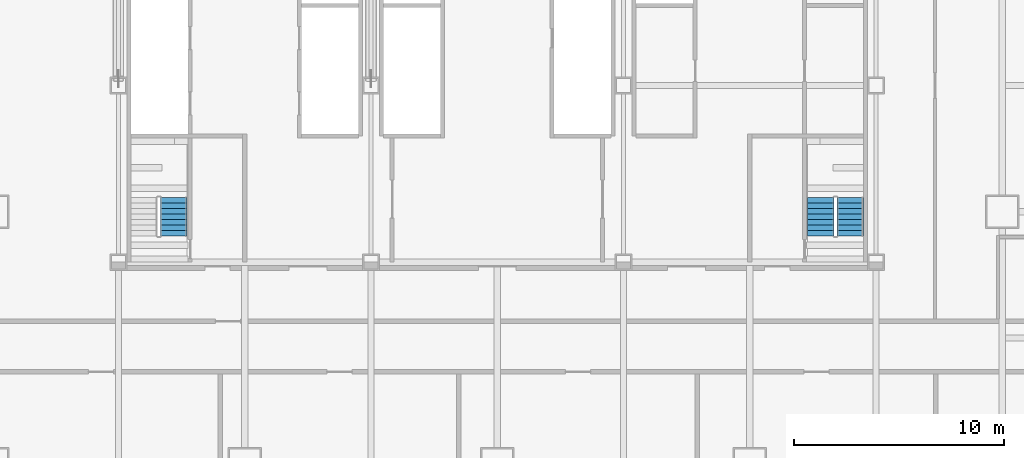
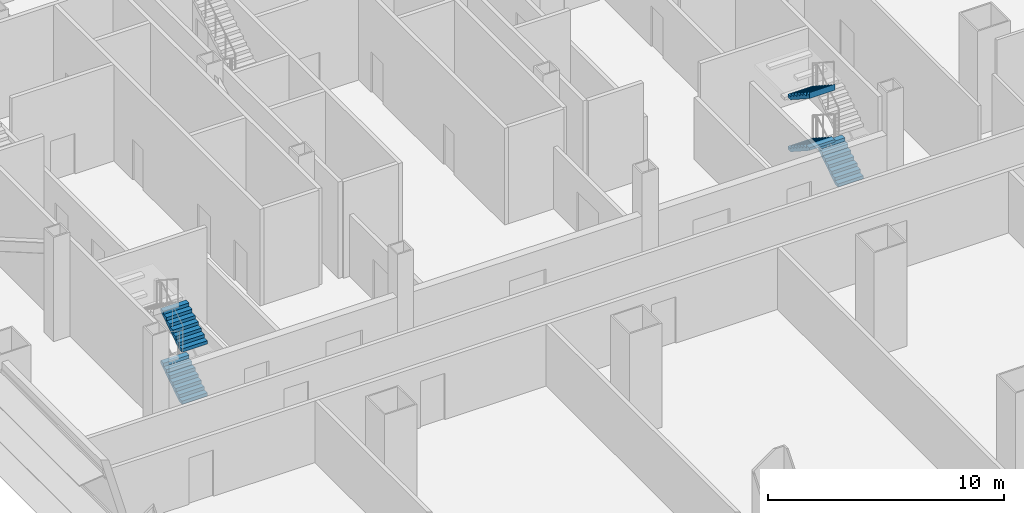
# One storey, part 7 of 10: 5 stair flights, 2 elements without a shape of their own.
"""IFC4 building model written with IfcOpenShell, lengths in metres."""

from ifc_helpers import new_model, si_unit, direction, frame, origin, place, context, subcontext, project, spatial, polyline, outline, extrude, material, type_object, element, aggregate, save


model = new_model("IFC4")

# Units and contexts
model_context = context("Model", 3, precision=1e-05, world=origin(), true_north=direction((0.0, 1.0)))
body_context = subcontext(model_context, "Body", "Model", "MODEL_VIEW")
ifc_project = project(units=[si_unit("LENGTHUNIT", "METRE"), si_unit("AREAUNIT", "SQUARE_METRE"), si_unit("VOLUMEUNIT", "CUBIC_METRE"), si_unit("PLANEANGLEUNIT", "RADIAN"), si_unit("MASSUNIT", "GRAM", prefix="KILO")], contexts=[model_context])

# Site, building, storey
site_placement = place(None, origin())
site = spatial("IfcSite", under=ifc_project, at=site_placement, CompositionType="ELEMENT")
building_placement = place(site_placement, origin())
building = spatial("IfcBuilding", under=site, at=building_placement, Name="Sorahane Residences", CompositionType="ELEMENT")
storey_placement = place(building_placement, frame((0.0, 0.0, 15.0)))
storey = spatial("IfcBuildingStorey", under=building, at=storey_placement, Name="L01", CompositionType="ELEMENT", Elevation=15.0)

# Stair, stair flights
ifc_material_1 = material(Name="Concrete C40", Category="concrete")
stair_type = type_object("IfcStairType", Name="Dog-leg stair 1250 Concrete C40", PredefinedType="HALF_TURN_STAIR", material=ifc_material_1)
stair_1_placement = place(storey_placement, origin())
stair_1 = element("IfcStair", 1, at=stair_1_placement, inside=storey, type_object=stair_type, Name="L01 Stair S4", PredefinedType="HALF_TURN_STAIR")
ifc_material_2 = material(Name="Concrete C40", Category="concrete")
stair_flight_type = type_object("IfcStairFlightType", Name="Stair flight 1250 Concrete C40", PredefinedType="STRAIGHT", material=ifc_material_2)
stair_flight_1_placement = place(storey_placement, frame((8.625, 22.85009765625, 0.0), z_axis=(0.0, 0.0, 1.0), x_axis=(0.0, 1.0, 0.0)))
stair_flight_1 = element("IfcStairFlight", 2, at=stair_flight_1_placement, type_object=stair_flight_type, Name="S4 flight 1", NumberOfRisers=8, NumberOfTreads=7, PredefinedType="STRAIGHT", RiserHeight=0.16875, TreadLength=0.26, context=body_context, shape_type="SweptSolid", body=[
    extrude(outline(polyline([(-0.00146484375, 0.0), (-0.00146484375, 0.002197265625), (-0.00146484375, 0.004150390625), (-0.00146484375, 0.00634765625), (-0.00146484375, 0.00830078125), (-0.00146484375, 0.010498046875), (-0.00146484375, 0.012451171875), (-0.00146484375, 0.0146484375), (-0.00146484375, 0.0166015625), (-0.00146484375, 0.018798828125), (-0.00146484375, 0.020751953125), (-0.00146484375, 0.02294921875), (-0.00146484375, 0.02490234375), (-0.00146484375, 0.027099609375), (-0.00146484375, 0.029052734375), (-0.00146484375, 0.03125), (-0.00146484375, 0.033447265625), (-0.00146484375, 0.035400390625), (-0.00146484375, 0.03759765625), (-0.00146484375, 0.03955078125), (-0.00146484375, 0.041748046875), (-0.00146484375, 0.043701171875), (-0.00146484375, 0.0458984375), (-0.00146484375, 0.0478515625), (-0.00146484375, 0.050048828125), (-0.00146484375, 0.052001953125), (-0.00146484375, 0.05419921875), (-0.00146484375, 0.05615234375), (-0.00146484375, 0.058349609375), (-0.00146484375, 0.060302734375), (-0.00146484375, 0.0625), (-0.00146484375, 0.064697265625), (-0.00146484375, 0.066650390625), (-0.00146484375, 0.06884765625), (-0.00146484375, 0.07080078125), (-0.00146484375, 0.072998046875), (-0.00146484375, 0.074951171875), (-0.00146484375, 0.0771484375), (-0.00146484375, 0.0791015625), (-0.00146484375, 0.081298828125), (-0.00146484375, 0.083251953125), (-0.00146484375, 0.08544921875), (-0.00146484375, 0.08740234375), (-0.00146484375, 0.089599609375), (-0.00146484375, 0.091552734375), (-0.00146484375, 0.09375), (-0.00146484375, 0.095947265625), (-0.00146484375, 0.097900390625), (-0.00146484375, 0.10009765625), (-0.00146484375, 0.10205078125), (-0.00146484375, 0.104248046875), (-0.00146484375, 0.106201171875), (-0.00146484375, 0.1083984375), (-0.00146484375, 0.1103515625), (-0.00146484375, 0.112548828125), (-0.00146484375, 0.114501953125), (-0.00146484375, 0.11669921875), (-0.00146484375, 0.11865234375), (-0.00146484375, 0.120849609375), (-0.00146484375, 0.122802734375), (-0.00146484375, 0.125), (-0.00146484375, 0.127197265625), (-0.00146484375, 0.129150390625), (-0.00146484375, 0.13134765625), (-0.00146484375, 0.13330078125), (-0.00146484375, 0.135498046875), (-0.00146484375, 0.137451171875), (-0.00146484375, 0.1396484375), (-0.00146484375, 0.1416015625), (-0.00146484375, 0.143798828125), (-0.00146484375, 0.145751953125), (-0.00146484375, 0.14794921875), (-0.00146484375, 0.14990234375), (-0.00146484375, 0.152099609375), (-0.00146484375, 0.154052734375), (-0.00146484375, 0.15625), (-0.00146484375, 0.158447265625), (-0.00146484375, 0.160400390625), (-0.00146484375, 0.16259765625), (-0.00146484375, 0.16455078125), (-0.00146484375, 0.166748046875), (-0.00146484375, 0.168701171875), (0.0, 0.168701171875), (0.260009765625, 0.168701171875), (0.260009765625, 0.33740234375), (0.52001953125, 0.33740234375), (0.52001953125, 0.50634765625), (0.780029296875, 0.50634765625), (0.780029296875, 0.675048828125), (1.0400390625, 0.675048828125), (1.0400390625, 0.84375), (1.300048828125, 0.84375), (1.300048828125, 1.012451171875), (1.56005859375, 1.012451171875), (1.56005859375, 1.18115234375), (1.820068359375, 1.18115234375), (1.820068359375, 1.35009765625), (1.820068359375, 1.34619140625), (1.820068359375, 1.34228515625), (1.820068359375, 1.33837890625), (1.820068359375, 1.334716796875), (1.820068359375, 1.330810546875), (1.820068359375, 1.326904296875), (1.820068359375, 1.322998046875), (1.820068359375, 1.319091796875), (1.820068359375, 1.3154296875), (1.820068359375, 1.3115234375), (1.820068359375, 1.3076171875), (1.820068359375, 1.3037109375), (1.820068359375, 1.300048828125), (1.820068359375, 1.296142578125), (1.820068359375, 1.292236328125), (1.820068359375, 1.288330078125), (1.820068359375, 1.284423828125), (1.820068359375, 1.28076171875), (1.820068359375, 1.27685546875), (1.820068359375, 1.27294921875), (1.820068359375, 1.26904296875), (1.820068359375, 1.265380859375), (1.820068359375, 1.261474609375), (1.820068359375, 1.257568359375), (1.820068359375, 1.253662109375), (1.820068359375, 1.249755859375), (1.820068359375, 1.24609375), (1.820068359375, 1.2421875), (1.820068359375, 1.23828125), (1.820068359375, 1.234375), (1.820068359375, 1.230712890625), (1.820068359375, 1.226806640625), (1.820068359375, 1.222900390625), (1.820068359375, 1.218994140625), (1.820068359375, 1.215087890625), (1.820068359375, 1.21142578125), (1.820068359375, 1.20751953125), (1.820068359375, 1.20361328125), (1.820068359375, 1.19970703125), (1.820068359375, 1.196044921875), (1.820068359375, 1.192138671875), (1.820068359375, 1.188232421875), (1.820068359375, 1.184326171875), (1.820068359375, 1.1806640625), (1.820068359375, 1.1767578125), (1.820068359375, 1.1728515625), (1.820068359375, 1.1689453125), (1.820068359375, 1.1650390625), (1.820068359375, 1.161376953125), (1.820068359375, 1.157470703125), (1.820068359375, 1.153564453125), (1.820068359375, 1.149658203125), (1.820068359375, 1.14599609375), (1.820068359375, 1.14208984375), (1.820068359375, 1.13818359375), (1.820068359375, 1.13427734375), (1.820068359375, 1.13037109375), (1.820068359375, 1.126708984375), (1.820068359375, 1.122802734375), (1.820068359375, 1.118896484375), (1.820068359375, 1.114990234375), (1.820068359375, 1.111328125), (1.820068359375, 1.107421875), (1.820068359375, 1.103515625), (1.820068359375, 1.099609375), (1.820068359375, 1.095703125), (1.820068359375, 1.092041015625), (1.820068359375, 1.088134765625), (1.820068359375, 1.084228515625), (1.820068359375, 1.080322265625), (1.820068359375, 1.07666015625), (1.820068359375, 1.07275390625), (1.820068359375, 1.06884765625), (1.820068359375, 1.06494140625), (1.820068359375, 1.061279296875), (1.820068359375, 1.057373046875), (1.820068359375, 1.053466796875), (1.820068359375, 1.049560546875), (1.820068359375, 1.045654296875), (1.820068359375, 1.0419921875), (1.820068359375, 1.0380859375), (1.642333984375, 0.922607421875), (1.464599609375, 0.807373046875), (1.286865234375, 0.692138671875), (1.109130859375, 0.57666015625), (0.931396484375, 0.46142578125), (0.753662109375, 0.345947265625), (0.575927734375, 0.230712890625), (0.3984375, 0.115234375), (0.220703125, 0.0), (-0.00146484375, 0.0)])), frame((0.0, 0.625, 0.0), z_axis=(0.0, -1.0, 0.0), x_axis=(1.0, 0.0, 0.0)), (0.0, 0.0, 1.0), 1.25),
])
stair_flight_2_placement = place(storey_placement, frame((8.625, 22.85009765625, 2.699951171875), z_axis=(0.0, 0.0, 1.0), x_axis=(0.0, 1.0, 0.0)))
stair_flight_2 = element("IfcStairFlight", 3, at=stair_flight_2_placement, type_object=stair_flight_type, Name="S4 flight 3", NumberOfRisers=8, NumberOfTreads=7, PredefinedType="STRAIGHT", RiserHeight=0.16875, TreadLength=0.26, context=body_context, shape_type="SweptSolid", body=[
    extrude(outline(polyline([(0.0, 0.0), (0.0, 0.002197265625), (0.0, 0.004150390625), (0.0, 0.00634765625), (0.0, 0.00830078125), (0.0, 0.010498046875), (0.0, 0.012451171875), (0.0, 0.0146484375), (0.0, 0.0166015625), (0.0, 0.018798828125), (0.0, 0.020751953125), (0.0, 0.02294921875), (0.0, 0.02490234375), (0.0, 0.027099609375), (0.0, 0.029052734375), (0.0, 0.03125), (0.0, 0.033447265625), (0.0, 0.035400390625), (0.0, 0.03759765625), (0.0, 0.03955078125), (0.0, 0.041748046875), (0.0, 0.043701171875), (0.0, 0.0458984375), (0.0, 0.0478515625), (0.0, 0.050048828125), (0.0, 0.052001953125), (0.0, 0.05419921875), (0.0, 0.05615234375), (0.0, 0.058349609375), (0.0, 0.060302734375), (0.0, 0.0625), (0.0, 0.064697265625), (0.0, 0.066650390625), (0.0, 0.06884765625), (0.0, 0.07080078125), (0.0, 0.072998046875), (0.0, 0.074951171875), (0.0, 0.0771484375), (0.0, 0.0791015625), (0.0, 0.081298828125), (0.0, 0.083251953125), (0.0, 0.08544921875), (0.0, 0.08740234375), (0.0, 0.089599609375), (0.0, 0.091552734375), (0.0, 0.09375), (0.0, 0.095947265625), (0.0, 0.097900390625), (0.0, 0.10009765625), (0.0, 0.10205078125), (0.0, 0.104248046875), (0.0, 0.106201171875), (0.0, 0.1083984375), (0.0, 0.1103515625), (0.0, 0.112548828125), (0.0, 0.114501953125), (0.0, 0.11669921875), (0.0, 0.11865234375), (0.0, 0.120849609375), (0.0, 0.122802734375), (0.0, 0.125), (0.0, 0.127197265625), (0.0, 0.129150390625), (0.0, 0.13134765625), (0.0, 0.13330078125), (0.0, 0.135498046875), (0.0, 0.137451171875), (0.0, 0.1396484375), (0.0, 0.1416015625), (0.0, 0.143798828125), (0.0, 0.145751953125), (0.0, 0.14794921875), (0.0, 0.14990234375), (0.0, 0.152099609375), (0.0, 0.154052734375), (0.0, 0.15625), (0.0, 0.158447265625), (0.0, 0.160400390625), (0.0, 0.16259765625), (0.0, 0.16455078125), (0.0, 0.166748046875), (0.0, 0.168701171875), (0.260009765625, 0.168701171875), (0.260009765625, 0.33740234375), (0.52001953125, 0.33740234375), (0.52001953125, 0.50634765625), (0.780029296875, 0.50634765625), (0.780029296875, 0.675048828125), (1.0400390625, 0.675048828125), (1.0400390625, 0.84375), (1.300048828125, 0.84375), (1.300048828125, 1.012451171875), (1.56005859375, 1.012451171875), (1.56005859375, 1.18115234375), (1.820068359375, 1.18115234375), (1.820068359375, 1.35009765625), (1.820068359375, 1.34619140625), (1.820068359375, 1.34228515625), (1.820068359375, 1.33837890625), (1.820068359375, 1.334716796875), (1.820068359375, 1.330810546875), (1.820068359375, 1.326904296875), (1.820068359375, 1.322998046875), (1.820068359375, 1.319091796875), (1.820068359375, 1.3154296875), (1.820068359375, 1.3115234375), (1.820068359375, 1.3076171875), (1.820068359375, 1.3037109375), (1.820068359375, 1.300048828125), (1.820068359375, 1.296142578125), (1.820068359375, 1.292236328125), (1.820068359375, 1.288330078125), (1.820068359375, 1.284423828125), (1.820068359375, 1.28076171875), (1.820068359375, 1.27685546875), (1.820068359375, 1.27294921875), (1.820068359375, 1.26904296875), (1.820068359375, 1.265380859375), (1.820068359375, 1.261474609375), (1.820068359375, 1.257568359375), (1.820068359375, 1.253662109375), (1.820068359375, 1.249755859375), (1.820068359375, 1.24609375), (1.820068359375, 1.2421875), (1.820068359375, 1.23828125), (1.820068359375, 1.234375), (1.820068359375, 1.230712890625), (1.820068359375, 1.226806640625), (1.820068359375, 1.222900390625), (1.820068359375, 1.218994140625), (1.820068359375, 1.215087890625), (1.820068359375, 1.21142578125), (1.820068359375, 1.20751953125), (1.820068359375, 1.20361328125), (1.820068359375, 1.19970703125), (1.820068359375, 1.196044921875), (1.820068359375, 1.192138671875), (1.820068359375, 1.188232421875), (1.820068359375, 1.184326171875), (1.820068359375, 1.1806640625), (1.820068359375, 1.1767578125), (1.820068359375, 1.1728515625), (1.820068359375, 1.1689453125), (1.820068359375, 1.1650390625), (1.820068359375, 1.161376953125), (1.820068359375, 1.157470703125), (1.820068359375, 1.153564453125), (1.820068359375, 1.149658203125), (1.820068359375, 1.14599609375), (1.820068359375, 1.14208984375), (1.820068359375, 1.13818359375), (1.820068359375, 1.13427734375), (1.820068359375, 1.13037109375), (1.820068359375, 1.126708984375), (1.820068359375, 1.122802734375), (1.820068359375, 1.118896484375), (1.820068359375, 1.114990234375), (1.820068359375, 1.111328125), (1.820068359375, 1.107421875), (1.820068359375, 1.103515625), (1.820068359375, 1.099609375), (1.820068359375, 1.095703125), (1.820068359375, 1.092041015625), (1.820068359375, 1.088134765625), (1.820068359375, 1.084228515625), (1.820068359375, 1.080322265625), (1.820068359375, 1.07666015625), (1.820068359375, 1.07275390625), (1.820068359375, 1.06884765625), (1.820068359375, 1.06494140625), (1.820068359375, 1.061279296875), (1.820068359375, 1.057373046875), (1.820068359375, 1.053466796875), (1.820068359375, 1.049560546875), (1.820068359375, 1.045654296875), (1.820068359375, 1.0419921875), (1.820068359375, 1.0380859375), (1.6201171875, 0.908203125), (1.420166015625, 0.778564453125), (1.22021484375, 0.648681640625), (1.020263671875, 0.51904296875), (0.8203125, 0.38916015625), (0.620361328125, 0.259521484375), (0.420654296875, 0.129638671875), (0.220703125, 0.0), (0.0, 0.0)])), frame((0.0, 0.625, 0.0), z_axis=(0.0, -1.0, 0.0), x_axis=(1.0, 0.0, 0.0)), (0.0, 0.0, 1.0), 1.25),
])
aggregate(stair_1, [stair_flight_1, stair_flight_2])

stair_2_placement = place(storey_placement, origin())
stair_2 = element("IfcStair", 4, at=stair_2_placement, inside=storey, type_object=stair_type, Name="L01 Stair S5", PredefinedType="HALF_TURN_STAIR")
stair_flight_3_placement = place(storey_placement, frame((40.77490234375, 22.85009765625, 0.0), z_axis=(0.0, 0.0, 1.0), x_axis=(0.0, 1.0, 0.0)))
stair_flight_3 = element("IfcStairFlight", 5, at=stair_flight_3_placement, type_object=stair_flight_type, Name="S5 flight 1", NumberOfRisers=8, NumberOfTreads=7, PredefinedType="STRAIGHT", RiserHeight=0.16875, TreadLength=0.26, context=body_context, shape_type="SweptSolid", body=[
    extrude(outline(polyline([(-0.00146484375, 0.0), (-0.00146484375, 0.002197265625), (-0.00146484375, 0.004150390625), (-0.00146484375, 0.00634765625), (-0.00146484375, 0.00830078125), (-0.00146484375, 0.010498046875), (-0.00146484375, 0.012451171875), (-0.00146484375, 0.0146484375), (-0.00146484375, 0.0166015625), (-0.00146484375, 0.018798828125), (-0.00146484375, 0.020751953125), (-0.00146484375, 0.02294921875), (-0.00146484375, 0.02490234375), (-0.00146484375, 0.027099609375), (-0.00146484375, 0.029052734375), (-0.00146484375, 0.03125), (-0.00146484375, 0.033447265625), (-0.00146484375, 0.035400390625), (-0.00146484375, 0.03759765625), (-0.00146484375, 0.03955078125), (-0.00146484375, 0.041748046875), (-0.00146484375, 0.043701171875), (-0.00146484375, 0.0458984375), (-0.00146484375, 0.0478515625), (-0.00146484375, 0.050048828125), (-0.00146484375, 0.052001953125), (-0.00146484375, 0.05419921875), (-0.00146484375, 0.05615234375), (-0.00146484375, 0.058349609375), (-0.00146484375, 0.060302734375), (-0.00146484375, 0.0625), (-0.00146484375, 0.064697265625), (-0.00146484375, 0.066650390625), (-0.00146484375, 0.06884765625), (-0.00146484375, 0.07080078125), (-0.00146484375, 0.072998046875), (-0.00146484375, 0.074951171875), (-0.00146484375, 0.0771484375), (-0.00146484375, 0.0791015625), (-0.00146484375, 0.081298828125), (-0.00146484375, 0.083251953125), (-0.00146484375, 0.08544921875), (-0.00146484375, 0.08740234375), (-0.00146484375, 0.089599609375), (-0.00146484375, 0.091552734375), (-0.00146484375, 0.09375), (-0.00146484375, 0.095947265625), (-0.00146484375, 0.097900390625), (-0.00146484375, 0.10009765625), (-0.00146484375, 0.10205078125), (-0.00146484375, 0.104248046875), (-0.00146484375, 0.106201171875), (-0.00146484375, 0.1083984375), (-0.00146484375, 0.1103515625), (-0.00146484375, 0.112548828125), (-0.00146484375, 0.114501953125), (-0.00146484375, 0.11669921875), (-0.00146484375, 0.11865234375), (-0.00146484375, 0.120849609375), (-0.00146484375, 0.122802734375), (-0.00146484375, 0.125), (-0.00146484375, 0.127197265625), (-0.00146484375, 0.129150390625), (-0.00146484375, 0.13134765625), (-0.00146484375, 0.13330078125), (-0.00146484375, 0.135498046875), (-0.00146484375, 0.137451171875), (-0.00146484375, 0.1396484375), (-0.00146484375, 0.1416015625), (-0.00146484375, 0.143798828125), (-0.00146484375, 0.145751953125), (-0.00146484375, 0.14794921875), (-0.00146484375, 0.14990234375), (-0.00146484375, 0.152099609375), (-0.00146484375, 0.154052734375), (-0.00146484375, 0.15625), (-0.00146484375, 0.158447265625), (-0.00146484375, 0.160400390625), (-0.00146484375, 0.16259765625), (-0.00146484375, 0.16455078125), (-0.00146484375, 0.166748046875), (-0.00146484375, 0.168701171875), (0.0, 0.168701171875), (0.260009765625, 0.168701171875), (0.260009765625, 0.33740234375), (0.52001953125, 0.33740234375), (0.52001953125, 0.50634765625), (0.780029296875, 0.50634765625), (0.780029296875, 0.675048828125), (1.0400390625, 0.675048828125), (1.0400390625, 0.84375), (1.300048828125, 0.84375), (1.300048828125, 1.012451171875), (1.56005859375, 1.012451171875), (1.56005859375, 1.18115234375), (1.820068359375, 1.18115234375), (1.820068359375, 1.35009765625), (1.820068359375, 1.34619140625), (1.820068359375, 1.34228515625), (1.820068359375, 1.33837890625), (1.820068359375, 1.334716796875), (1.820068359375, 1.330810546875), (1.820068359375, 1.326904296875), (1.820068359375, 1.322998046875), (1.820068359375, 1.319091796875), (1.820068359375, 1.3154296875), (1.820068359375, 1.3115234375), (1.820068359375, 1.3076171875), (1.820068359375, 1.3037109375), (1.820068359375, 1.300048828125), (1.820068359375, 1.296142578125), (1.820068359375, 1.292236328125), (1.820068359375, 1.288330078125), (1.820068359375, 1.284423828125), (1.820068359375, 1.28076171875), (1.820068359375, 1.27685546875), (1.820068359375, 1.27294921875), (1.820068359375, 1.26904296875), (1.820068359375, 1.265380859375), (1.820068359375, 1.261474609375), (1.820068359375, 1.257568359375), (1.820068359375, 1.253662109375), (1.820068359375, 1.249755859375), (1.820068359375, 1.24609375), (1.820068359375, 1.2421875), (1.820068359375, 1.23828125), (1.820068359375, 1.234375), (1.820068359375, 1.230712890625), (1.820068359375, 1.226806640625), (1.820068359375, 1.222900390625), (1.820068359375, 1.218994140625), (1.820068359375, 1.215087890625), (1.820068359375, 1.21142578125), (1.820068359375, 1.20751953125), (1.820068359375, 1.20361328125), (1.820068359375, 1.19970703125), (1.820068359375, 1.196044921875), (1.820068359375, 1.192138671875), (1.820068359375, 1.188232421875), (1.820068359375, 1.184326171875), (1.820068359375, 1.1806640625), (1.820068359375, 1.1767578125), (1.820068359375, 1.1728515625), (1.820068359375, 1.1689453125), (1.820068359375, 1.1650390625), (1.820068359375, 1.161376953125), (1.820068359375, 1.157470703125), (1.820068359375, 1.153564453125), (1.820068359375, 1.149658203125), (1.820068359375, 1.14599609375), (1.820068359375, 1.14208984375), (1.820068359375, 1.13818359375), (1.820068359375, 1.13427734375), (1.820068359375, 1.13037109375), (1.820068359375, 1.126708984375), (1.820068359375, 1.122802734375), (1.820068359375, 1.118896484375), (1.820068359375, 1.114990234375), (1.820068359375, 1.111328125), (1.820068359375, 1.107421875), (1.820068359375, 1.103515625), (1.820068359375, 1.099609375), (1.820068359375, 1.095703125), (1.820068359375, 1.092041015625), (1.820068359375, 1.088134765625), (1.820068359375, 1.084228515625), (1.820068359375, 1.080322265625), (1.820068359375, 1.07666015625), (1.820068359375, 1.07275390625), (1.820068359375, 1.06884765625), (1.820068359375, 1.06494140625), (1.820068359375, 1.061279296875), (1.820068359375, 1.057373046875), (1.820068359375, 1.053466796875), (1.820068359375, 1.049560546875), (1.820068359375, 1.045654296875), (1.820068359375, 1.0419921875), (1.820068359375, 1.0380859375), (1.642333984375, 0.922607421875), (1.464599609375, 0.807373046875), (1.286865234375, 0.692138671875), (1.109130859375, 0.57666015625), (0.931396484375, 0.46142578125), (0.753662109375, 0.345947265625), (0.575927734375, 0.230712890625), (0.3984375, 0.115234375), (0.220703125, 0.0), (-0.00146484375, 0.0)])), frame((0.0, 0.625, 0.0), z_axis=(0.0, -1.0, 0.0), x_axis=(1.0, 0.0, 0.0)), (0.0, 0.0, 1.0), 1.25),
])
stair_flight_4_placement = place(storey_placement, frame((39.375, 24.669921875, 1.35009765625), z_axis=(0.0, 0.0, 1.0), x_axis=(0.0, -1.0, 0.0)))
stair_flight_4 = element("IfcStairFlight", 6, at=stair_flight_4_placement, type_object=stair_flight_type, Name="S5 flight 2", NumberOfRisers=8, NumberOfTreads=7, PredefinedType="STRAIGHT", RiserHeight=0.16875, TreadLength=0.26, context=body_context, shape_type="SweptSolid", body=[
    extrude(outline(polyline([(0.0, 0.0), (0.0, 0.002197265625), (0.0, 0.004150390625), (0.0, 0.00634765625), (0.0, 0.00830078125), (0.0, 0.010498046875), (0.0, 0.012451171875), (0.0, 0.0146484375), (0.0, 0.0166015625), (0.0, 0.018798828125), (0.0, 0.020751953125), (0.0, 0.02294921875), (0.0, 0.02490234375), (0.0, 0.027099609375), (0.0, 0.029052734375), (0.0, 0.03125), (0.0, 0.033447265625), (0.0, 0.035400390625), (0.0, 0.03759765625), (0.0, 0.03955078125), (0.0, 0.041748046875), (0.0, 0.043701171875), (0.0, 0.0458984375), (0.0, 0.0478515625), (0.0, 0.050048828125), (0.0, 0.052001953125), (0.0, 0.05419921875), (0.0, 0.05615234375), (0.0, 0.058349609375), (0.0, 0.060302734375), (0.0, 0.0625), (0.0, 0.064697265625), (0.0, 0.066650390625), (0.0, 0.06884765625), (0.0, 0.07080078125), (0.0, 0.072998046875), (0.0, 0.074951171875), (0.0, 0.0771484375), (0.0, 0.0791015625), (0.0, 0.081298828125), (0.0, 0.083251953125), (0.0, 0.08544921875), (0.0, 0.08740234375), (0.0, 0.089599609375), (0.0, 0.091552734375), (0.0, 0.09375), (0.0, 0.095947265625), (0.0, 0.097900390625), (0.0, 0.10009765625), (0.0, 0.10205078125), (0.0, 0.104248046875), (0.0, 0.106201171875), (0.0, 0.1083984375), (0.0, 0.1103515625), (0.0, 0.112548828125), (0.0, 0.114501953125), (0.0, 0.11669921875), (0.0, 0.11865234375), (0.0, 0.120849609375), (0.0, 0.122802734375), (0.0, 0.125), (0.0, 0.127197265625), (0.0, 0.129150390625), (0.0, 0.13134765625), (0.0, 0.13330078125), (0.0, 0.135498046875), (0.0, 0.137451171875), (0.0, 0.1396484375), (0.0, 0.1416015625), (0.0, 0.143798828125), (0.0, 0.145751953125), (0.0, 0.14794921875), (0.0, 0.14990234375), (0.0, 0.152099609375), (0.0, 0.154052734375), (0.0, 0.15625), (0.0, 0.158447265625), (0.0, 0.160400390625), (0.0, 0.16259765625), (0.0, 0.16455078125), (0.0, 0.166748046875), (0.0, 0.168701171875), (0.260009765625, 0.168701171875), (0.260009765625, 0.33740234375), (0.52001953125, 0.33740234375), (0.52001953125, 0.50634765625), (0.780029296875, 0.50634765625), (0.780029296875, 0.675048828125), (1.0400390625, 0.675048828125), (1.0400390625, 0.84375), (1.300048828125, 0.84375), (1.300048828125, 1.012451171875), (1.56005859375, 1.012451171875), (1.56005859375, 1.18115234375), (1.820068359375, 1.18115234375), (1.820068359375, 1.35009765625), (1.820068359375, 1.34619140625), (1.820068359375, 1.34228515625), (1.820068359375, 1.33837890625), (1.820068359375, 1.334716796875), (1.820068359375, 1.330810546875), (1.820068359375, 1.326904296875), (1.820068359375, 1.322998046875), (1.820068359375, 1.319091796875), (1.820068359375, 1.3154296875), (1.820068359375, 1.3115234375), (1.820068359375, 1.3076171875), (1.820068359375, 1.3037109375), (1.820068359375, 1.300048828125), (1.820068359375, 1.296142578125), (1.820068359375, 1.292236328125), (1.820068359375, 1.288330078125), (1.820068359375, 1.284423828125), (1.820068359375, 1.28076171875), (1.820068359375, 1.27685546875), (1.820068359375, 1.27294921875), (1.820068359375, 1.26904296875), (1.820068359375, 1.265380859375), (1.820068359375, 1.261474609375), (1.820068359375, 1.257568359375), (1.820068359375, 1.253662109375), (1.820068359375, 1.249755859375), (1.820068359375, 1.24609375), (1.820068359375, 1.2421875), (1.820068359375, 1.23828125), (1.820068359375, 1.234375), (1.820068359375, 1.230712890625), (1.820068359375, 1.226806640625), (1.820068359375, 1.222900390625), (1.820068359375, 1.218994140625), (1.820068359375, 1.215087890625), (1.820068359375, 1.21142578125), (1.820068359375, 1.20751953125), (1.820068359375, 1.20361328125), (1.820068359375, 1.19970703125), (1.820068359375, 1.196044921875), (1.820068359375, 1.192138671875), (1.820068359375, 1.188232421875), (1.820068359375, 1.184326171875), (1.820068359375, 1.1806640625), (1.820068359375, 1.1767578125), (1.820068359375, 1.1728515625), (1.820068359375, 1.1689453125), (1.820068359375, 1.1650390625), (1.820068359375, 1.161376953125), (1.820068359375, 1.157470703125), (1.820068359375, 1.153564453125), (1.820068359375, 1.149658203125), (1.820068359375, 1.14599609375), (1.820068359375, 1.14208984375), (1.820068359375, 1.13818359375), (1.820068359375, 1.13427734375), (1.820068359375, 1.13037109375), (1.820068359375, 1.126708984375), (1.820068359375, 1.122802734375), (1.820068359375, 1.118896484375), (1.820068359375, 1.114990234375), (1.820068359375, 1.111328125), (1.820068359375, 1.107421875), (1.820068359375, 1.103515625), (1.820068359375, 1.099609375), (1.820068359375, 1.095703125), (1.820068359375, 1.092041015625), (1.820068359375, 1.088134765625), (1.820068359375, 1.084228515625), (1.820068359375, 1.080322265625), (1.820068359375, 1.07666015625), (1.820068359375, 1.07275390625), (1.820068359375, 1.06884765625), (1.820068359375, 1.06494140625), (1.820068359375, 1.061279296875), (1.820068359375, 1.057373046875), (1.820068359375, 1.053466796875), (1.820068359375, 1.049560546875), (1.820068359375, 1.045654296875), (1.820068359375, 1.0419921875), (1.820068359375, 1.0380859375), (1.6201171875, 0.908203125), (1.420166015625, 0.778564453125), (1.22021484375, 0.648681640625), (1.020263671875, 0.51904296875), (0.8203125, 0.38916015625), (0.620361328125, 0.259521484375), (0.420654296875, 0.129638671875), (0.220703125, 0.0), (0.0, 0.0)])), frame((0.0, 0.625, 0.0), z_axis=(0.0, -1.0, 0.0), x_axis=(1.0, 0.0, 0.0)), (0.0, 0.0, 1.0), 1.25),
])
stair_flight_5_placement = place(storey_placement, frame((39.375, 24.669921875, 4.050048828125), z_axis=(0.0, 0.0, 1.0), x_axis=(0.0, -1.0, 0.0)))
stair_flight_5 = element("IfcStairFlight", 7, at=stair_flight_5_placement, type_object=stair_flight_type, Name="S5 flight 4", NumberOfRisers=8, NumberOfTreads=7, PredefinedType="STRAIGHT", RiserHeight=0.16875, TreadLength=0.26, context=body_context, shape_type="SweptSolid", body=[
    extrude(outline(polyline([(0.0, 0.0), (0.0, 0.002197265625), (0.0, 0.004150390625), (0.0, 0.00634765625), (0.0, 0.00830078125), (0.0, 0.010498046875), (0.0, 0.012451171875), (0.0, 0.0146484375), (0.0, 0.0166015625), (0.0, 0.018798828125), (0.0, 0.020751953125), (0.0, 0.02294921875), (0.0, 0.02490234375), (0.0, 0.027099609375), (0.0, 0.029052734375), (0.0, 0.03125), (0.0, 0.033447265625), (0.0, 0.035400390625), (0.0, 0.03759765625), (0.0, 0.03955078125), (0.0, 0.041748046875), (0.0, 0.043701171875), (0.0, 0.0458984375), (0.0, 0.0478515625), (0.0, 0.050048828125), (0.0, 0.052001953125), (0.0, 0.05419921875), (0.0, 0.05615234375), (0.0, 0.058349609375), (0.0, 0.060302734375), (0.0, 0.0625), (0.0, 0.064697265625), (0.0, 0.066650390625), (0.0, 0.06884765625), (0.0, 0.07080078125), (0.0, 0.072998046875), (0.0, 0.074951171875), (0.0, 0.0771484375), (0.0, 0.0791015625), (0.0, 0.081298828125), (0.0, 0.083251953125), (0.0, 0.08544921875), (0.0, 0.08740234375), (0.0, 0.089599609375), (0.0, 0.091552734375), (0.0, 0.09375), (0.0, 0.095947265625), (0.0, 0.097900390625), (0.0, 0.10009765625), (0.0, 0.10205078125), (0.0, 0.104248046875), (0.0, 0.106201171875), (0.0, 0.1083984375), (0.0, 0.1103515625), (0.0, 0.112548828125), (0.0, 0.114501953125), (0.0, 0.11669921875), (0.0, 0.11865234375), (0.0, 0.120849609375), (0.0, 0.122802734375), (0.0, 0.125), (0.0, 0.127197265625), (0.0, 0.129150390625), (0.0, 0.13134765625), (0.0, 0.13330078125), (0.0, 0.135498046875), (0.0, 0.137451171875), (0.0, 0.1396484375), (0.0, 0.1416015625), (0.0, 0.143798828125), (0.0, 0.145751953125), (0.0, 0.14794921875), (0.0, 0.14990234375), (0.0, 0.152099609375), (0.0, 0.154052734375), (0.0, 0.15625), (0.0, 0.158447265625), (0.0, 0.160400390625), (0.0, 0.16259765625), (0.0, 0.16455078125), (0.0, 0.166748046875), (0.0, 0.168701171875), (0.260009765625, 0.168701171875), (0.260009765625, 0.33740234375), (0.52001953125, 0.33740234375), (0.52001953125, 0.50634765625), (0.780029296875, 0.50634765625), (0.780029296875, 0.675048828125), (1.0400390625, 0.675048828125), (1.0400390625, 0.84375), (1.300048828125, 0.84375), (1.300048828125, 1.012451171875), (1.56005859375, 1.012451171875), (1.56005859375, 1.18115234375), (1.820068359375, 1.18115234375), (1.820068359375, 1.35009765625), (1.821533203125, 1.35009765625), (1.821533203125, 1.34619140625), (1.821533203125, 1.34228515625), (1.821533203125, 1.33837890625), (1.821533203125, 1.334716796875), (1.821533203125, 1.330810546875), (1.821533203125, 1.326904296875), (1.821533203125, 1.322998046875), (1.821533203125, 1.319091796875), (1.821533203125, 1.3154296875), (1.821533203125, 1.3115234375), (1.821533203125, 1.3076171875), (1.821533203125, 1.3037109375), (1.821533203125, 1.300048828125), (1.821533203125, 1.296142578125), (1.821533203125, 1.292236328125), (1.821533203125, 1.288330078125), (1.821533203125, 1.284423828125), (1.821533203125, 1.28076171875), (1.821533203125, 1.27685546875), (1.821533203125, 1.27294921875), (1.821533203125, 1.26904296875), (1.821533203125, 1.265380859375), (1.821533203125, 1.261474609375), (1.821533203125, 1.257568359375), (1.821533203125, 1.253662109375), (1.821533203125, 1.249755859375), (1.821533203125, 1.24609375), (1.821533203125, 1.2421875), (1.821533203125, 1.23828125), (1.821533203125, 1.234375), (1.821533203125, 1.230712890625), (1.821533203125, 1.226806640625), (1.821533203125, 1.222900390625), (1.821533203125, 1.218994140625), (1.821533203125, 1.215087890625), (1.821533203125, 1.21142578125), (1.821533203125, 1.20751953125), (1.821533203125, 1.20361328125), (1.821533203125, 1.19970703125), (1.821533203125, 1.196044921875), (1.821533203125, 1.192138671875), (1.821533203125, 1.188232421875), (1.821533203125, 1.184326171875), (1.821533203125, 1.1806640625), (1.821533203125, 1.1767578125), (1.821533203125, 1.1728515625), (1.821533203125, 1.1689453125), (1.821533203125, 1.1650390625), (1.821533203125, 1.161376953125), (1.821533203125, 1.157470703125), (1.821533203125, 1.153564453125), (1.821533203125, 1.149658203125), (1.821533203125, 1.14599609375), (1.821533203125, 1.14208984375), (1.821533203125, 1.13818359375), (1.821533203125, 1.13427734375), (1.821533203125, 1.13037109375), (1.821533203125, 1.126708984375), (1.821533203125, 1.122802734375), (1.821533203125, 1.118896484375), (1.821533203125, 1.114990234375), (1.821533203125, 1.111328125), (1.821533203125, 1.107421875), (1.821533203125, 1.103515625), (1.821533203125, 1.099609375), (1.821533203125, 1.095703125), (1.821533203125, 1.092041015625), (1.821533203125, 1.088134765625), (1.821533203125, 1.084228515625), (1.821533203125, 1.080322265625), (1.821533203125, 1.07666015625), (1.821533203125, 1.07275390625), (1.821533203125, 1.06884765625), (1.821533203125, 1.06494140625), (1.821533203125, 1.061279296875), (1.821533203125, 1.057373046875), (1.821533203125, 1.053466796875), (1.821533203125, 1.049560546875), (1.821533203125, 1.045654296875), (1.821533203125, 1.0419921875), (1.821533203125, 1.0380859375), (1.6435546875, 0.922607421875), (1.4658203125, 0.807373046875), (1.287841796875, 0.692138671875), (1.110107421875, 0.57666015625), (0.93212890625, 0.46142578125), (0.754150390625, 0.345947265625), (0.576416015625, 0.230712890625), (0.3984375, 0.115234375), (0.220703125, 0.0), (0.0, 0.0)])), frame((0.0, 0.625, 0.0), z_axis=(0.0, -1.0, 0.0), x_axis=(1.0, 0.0, 0.0)), (0.0, 0.0, 1.0), 1.25),
])
aggregate(stair_2, [stair_flight_3, stair_flight_4, stair_flight_5])

save(model, "model.ifc")
